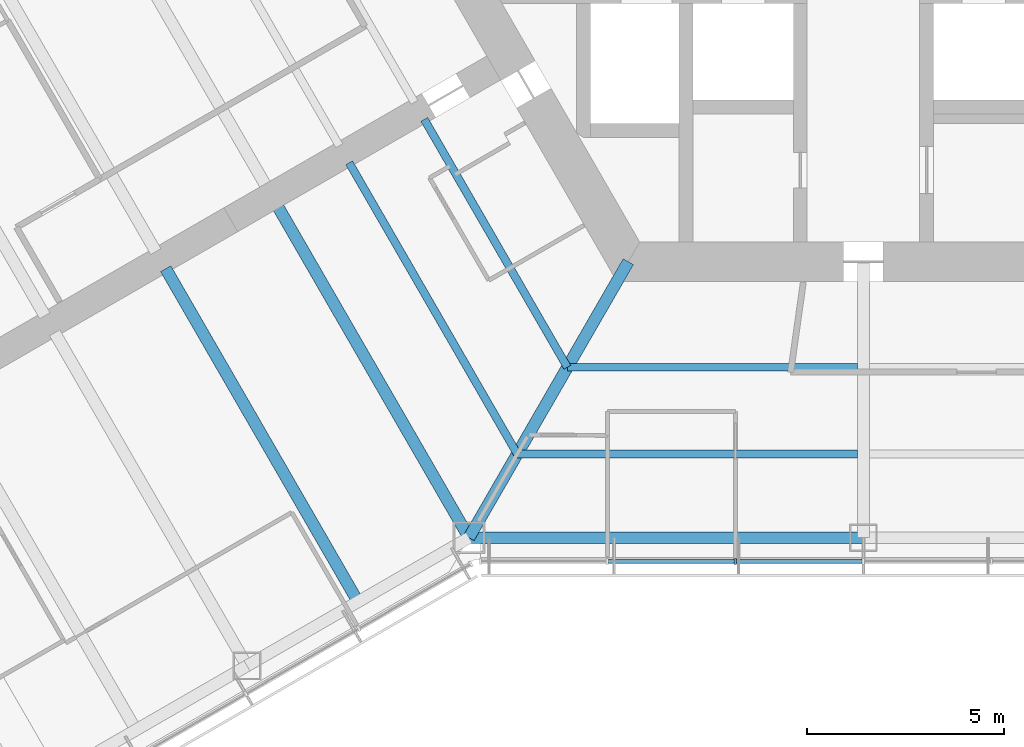
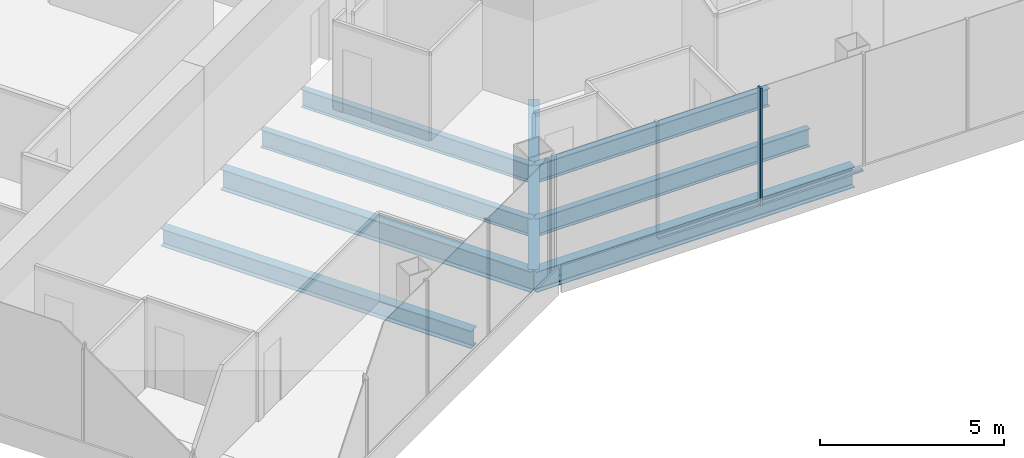
# One storey, part 3 of 18: 8 beams, 3 members, 1 element without a shape of its own.
"""IFC4 building model written with IfcOpenShell, lengths in metres."""

from ifc_helpers import new_model, si_unit, direction, frame, origin, origin_2d, place, context, subcontext, project, spatial, rectangle, i_section, extrude, material, material_profile, profile_set, type_object, element, aggregate, save


model = new_model("IFC4")

# Units and contexts
model_context = context("Model", 3, precision=1e-05, world=origin(), true_north=direction((0.0, 1.0)))
body_context = subcontext(model_context, "Body", "Model", "MODEL_VIEW")
ifc_project = project(units=[si_unit("LENGTHUNIT", "METRE"), si_unit("AREAUNIT", "SQUARE_METRE"), si_unit("VOLUMEUNIT", "CUBIC_METRE"), si_unit("PLANEANGLEUNIT", "RADIAN"), si_unit("MASSUNIT", "GRAM", prefix="KILO")], contexts=[model_context])

# Site, building, storey
site_placement = place(None, origin())
site = spatial("IfcSite", under=ifc_project, at=site_placement, CompositionType="ELEMENT")
building_placement = place(site_placement, origin())
building = spatial("IfcBuilding", under=site, at=building_placement, Name="Kasaneha Research Tower", CompositionType="ELEMENT")
storey_placement = place(building_placement, frame((0.0, 0.0, 195.5)))
storey = spatial("IfcBuildingStorey", under=building, at=storey_placement, Name="L49", CompositionType="ELEMENT", Elevation=195.5)

# Beams
ifc_material_1 = material(Name="Steel SN490B", Category="steel")
ifc_material_profile_1 = material_profile(ifc_material_1, i_section(OverallWidth=0.199951171875, OverallDepth=0.60009765625, WebThickness=0.010986328125, FlangeThickness=0.01708984375, FilletRadius=0.012939453125, at=origin_2d()), Name="H-600x200x11x17")
ifc_profile_set_1 = profile_set([ifc_material_profile_1], Name="Steel SN490B")
beam_type_1 = type_object("IfcBeamType", Name="B1-3 secondary beam H-600x200x11x17", PredefinedType="JOIST", material=ifc_profile_set_1)
beam_1_placement = place(storey_placement, frame((-7.505615234375, -13.0, -0.449951171875), z_axis=(-0.499993340521, 0.866029248602, 0.0), x_axis=(-0.866029248602, -0.499993340521, 0.0)))
element("IfcBeam", 1, at=beam_1_placement, inside=storey, type_object=beam_type_1, Name="Secondary beam RS210R1 L49", PredefinedType="JOIST", context=body_context, shape_type="SweptSolid", body=[
    extrude(i_section(OverallWidth=0.199951171875, OverallDepth=0.60009765625, WebThickness=0.010986328125, FlangeThickness=0.01708984375, FilletRadius=0.012939453125, at=origin_2d()), origin(), (0.0, 0.0, 1.0), 7.25537109375),
])
beam_2_placement = place(storey_placement, frame((-8.775634765625, -15.199951171875, -0.449951171875), z_axis=(-0.500004205306, 0.866022975836, 0.0), x_axis=(-0.866022975836, -0.500004205306, 0.0)))
element("IfcBeam", 2, at=beam_2_placement, inside=storey, type_object=beam_type_1, Name="Secondary beam RS210R2 L49", PredefinedType="JOIST", context=body_context, shape_type="SweptSolid", body=[
    extrude(i_section(OverallWidth=0.199951171875, OverallDepth=0.60009765625, WebThickness=0.010986328125, FlangeThickness=0.01708984375, FilletRadius=0.012939453125, at=origin_2d()), origin(), (0.0, 0.0, 1.0), 8.52587890625),
])
beam_3_placement = place(storey_placement, frame((-7.505615234375, -13.0, -0.449951171875), z_axis=(1.0, 0.0, 0.0), x_axis=(0.0, 1.0, 0.0)))
element("IfcBeam", 3, at=beam_3_placement, inside=storey, type_object=beam_type_1, Name="Secondary beam RS270L1 L49", PredefinedType="JOIST", context=body_context, shape_type="SweptSolid", body=[
    extrude(i_section(OverallWidth=0.199951171875, OverallDepth=0.60009765625, WebThickness=0.010986328125, FlangeThickness=0.01708984375, FilletRadius=0.012939453125, at=origin_2d()), origin(), (0.0, 0.0, 1.0), 7.355712890625),
])
beam_4_placement = place(storey_placement, frame((-8.775634765625, -15.199951171875, -0.449951171875), z_axis=(1.0, 0.0, 0.0), x_axis=(0.0, 1.0, 0.0)))
element("IfcBeam", 4, at=beam_4_placement, inside=storey, type_object=beam_type_1, Name="Secondary beam RS270L2 L49", PredefinedType="JOIST", context=body_context, shape_type="SweptSolid", body=[
    extrude(i_section(OverallWidth=0.199951171875, OverallDepth=0.60009765625, WebThickness=0.010986328125, FlangeThickness=0.01708984375, FilletRadius=0.012939453125, at=origin_2d()), origin(), (0.0, 0.0, 1.0), 8.625732421875),
])
ifc_material_2 = material(Name="Steel SN490B", Category="steel")
ifc_material_profile_2 = material_profile(ifc_material_2, i_section(OverallWidth=0.300048828125, OverallDepth=0.58203125, WebThickness=0.011962890625, FlangeThickness=0.01708984375, FilletRadius=0.012939453125, at=origin_2d()), Name="H-582x300x12x17")
ifc_profile_set_2 = profile_set([ifc_material_profile_2], Name="Steel SN490B")
beam_type_2 = type_object("IfcBeamType", Name="B2-3 secondary beam H-582x300x12x17", PredefinedType="JOIST", material=ifc_profile_set_2)
beam_5_placement = place(storey_placement, frame((-12.814697265625, -18.945556640625, -0.44091796875), z_axis=(-0.499995560238, 0.866027967067, 0.0), x_axis=(-0.866027967067, -0.499995560238, 0.0)))
element("IfcBeam", 5, at=beam_5_placement, inside=storey, type_object=beam_type_2, Name="Secondary beam WBBN1 L49", PredefinedType="JOIST", context=body_context, shape_type="SweptSolid", body=[
    extrude(i_section(OverallWidth=0.300048828125, OverallDepth=0.58203125, WebThickness=0.011962890625, FlangeThickness=0.01708984375, FilletRadius=0.012939453125, at=origin_2d()), origin(), (0.0, 0.0, 1.0), 9.75),
])

# Curtain wall, members
ifc_material_3 = material(Name="Glass and aluminium", Category="aluminium")
curtain_wall_type = type_object("IfcCurtainWallType", Name="Mid-rise office curtain wall", PredefinedType="USERDEFINED", material=ifc_material_3)
curtain_wall_placement = place(storey_placement, origin())
curtain_wall = element("IfcCurtainWall", 6, at=curtain_wall_placement, inside=storey, type_object=curtain_wall_type, Name="CW-O2 L49 run 01a", ObjectType="UNITISED CURTAIN WALL", PredefinedType="USERDEFINED")
ifc_material_4 = material(Name="Aluminium 6063-T6", Category="aluminium")
ifc_material_profile_3 = material_profile(ifc_material_4, rectangle(XDim=0.06005859375, YDim=0.14990234375, at=origin_2d()), Name="CW-O2 mullion 60x150")
ifc_profile_set_3 = profile_set([ifc_material_profile_3], Name="Aluminium 6063-T6")
member_type_1 = type_object("IfcMemberType", Name="CW-O2 mullion", PredefinedType="MULLION", material=ifc_profile_set_3)
member_1_placement = place(storey_placement, frame((-3.246337890625, -17.92041015625, 0.0), z_axis=(0.0, 0.0, 1.0), x_axis=(1.0, 0.0, 0.0)))
member_1 = element("IfcMember", 7, at=member_1_placement, type_object=member_type_1, Name="CW-O2 mullion 3", PredefinedType="MULLION", context=body_context, shape_type="SweptSolid", body=[
    extrude(rectangle(XDim=0.06005859375, YDim=0.14990234375, at=origin_2d()), origin(), (0.0, 0.0, 1.0), 3.89990234375),
])
ifc_material_5 = material(Name="Aluminium 6063-T6", Category="aluminium")
ifc_material_profile_4 = material_profile(ifc_material_5, rectangle(XDim=0.110107421875, YDim=0.06005859375, at=origin_2d()), Name="CW-O2 transom 110x60")
ifc_profile_set_4 = profile_set([ifc_material_profile_4], Name="Aluminium 6063-T6")
member_type_2 = type_object("IfcMemberType", Name="CW-O2 transom", PredefinedType="USERDEFINED", material=ifc_profile_set_4)
member_2_placement = place(storey_placement, frame((-6.462890625, -17.92041015625, 0.030029296875), z_axis=(1.0, 0.0, 0.0), x_axis=(0.0, 1.0, 0.0)))
member_2 = element("IfcMember", 8, at=member_2_placement, type_object=member_type_2, Name="CW-O2 transom 2", ObjectType="TRANSOM", PredefinedType="USERDEFINED", context=body_context, shape_type="SweptSolid", body=[
    extrude(rectangle(XDim=0.110107421875, YDim=0.06005859375, at=origin_2d()), origin(), (0.0, 0.0, 1.0), 3.1865234375),
])
member_3_placement = place(storey_placement, frame((-3.21630859375, -17.92041015625, 0.030029296875), z_axis=(1.0, 0.0, 0.0), x_axis=(0.0, 1.0, 0.0)))
member_3 = element("IfcMember", 9, at=member_3_placement, type_object=member_type_2, Name="CW-O2 transom 3", ObjectType="TRANSOM", PredefinedType="USERDEFINED", context=body_context, shape_type="SweptSolid", body=[
    extrude(rectangle(XDim=0.110107421875, YDim=0.06005859375, at=origin_2d()), origin(), (0.0, 0.0, 1.0), 3.186279296875),
])
aggregate(curtain_wall, [member_1, member_2, member_3])

# Beams
ifc_material_6 = material(Name="Steel SN490B", Category="steel")
ifc_material_profile_5 = material_profile(ifc_material_6, i_section(OverallWidth=0.300048828125, OverallDepth=0.699951171875, WebThickness=0.012939453125, FlangeThickness=0.02392578125, FilletRadius=0.01806640625, at=origin_2d()), Name="H-700x300x13x24")
ifc_profile_set_5 = profile_set([ifc_material_profile_5], Name="Steel SN490B")
beam_type_3 = type_object("IfcBeamType", Name="G1-3 radial girder H-700x300x13x24", PredefinedType="BEAM", material=ifc_profile_set_5)
beam_6_placement = place(storey_placement, frame((-5.961181640625, -10.324951171875, -0.5), z_axis=(-0.49999105496, -0.866030568144, 0.0), x_axis=(0.866030568144, -0.49999105496, 0.0)))
element("IfcBeam", 10, at=beam_6_placement, inside=storey, type_object=beam_type_3, Name="Radial girder RV240 L49", PredefinedType="BEAM", context=body_context, shape_type="SweptSolid", body=[
    extrude(i_section(OverallWidth=0.300048828125, OverallDepth=0.699951171875, WebThickness=0.012939453125, FlangeThickness=0.02392578125, FilletRadius=0.01806640625, at=origin_2d()), origin(), (0.0, 0.0, 1.0), 8.077880859375),
])
ifc_material_7 = material(Name="Steel SN490B", Category="steel")
ifc_material_profile_6 = material_profile(ifc_material_7, i_section(OverallWidth=0.300048828125, OverallDepth=0.69189453125, WebThickness=0.012939453125, FlangeThickness=0.02001953125, FilletRadius=0.01806640625, at=origin_2d()), Name="H-692x300x13x20")
ifc_profile_set_6 = profile_set([ifc_material_profile_6], Name="Steel SN490B")
beam_type_4 = type_object("IfcBeamType", Name="G3-3 plate edge girder H-692x300x13x20", PredefinedType="BEAM", material=ifc_profile_set_6)
beam_7_placement = place(storey_placement, frame((-10.0, -17.320556640625, -0.49609375), z_axis=(-0.499995560238, 0.866027967067, 0.0), x_axis=(-0.866027967067, -0.499995560238, 0.0)))
element("IfcBeam", 11, at=beam_7_placement, inside=storey, type_object=beam_type_4, Name="Plate edge girder PEBN L49", PredefinedType="BEAM", context=body_context, shape_type="SweptSolid", body=[
    extrude(i_section(OverallWidth=0.300048828125, OverallDepth=0.69189453125, WebThickness=0.012939453125, FlangeThickness=0.02001953125, FilletRadius=0.01806640625, at=origin_2d()), origin(), (0.0, 0.0, 1.0), 9.75),
])
ifc_material_8 = material(Name="Steel SN490B", Category="steel")
ifc_material_profile_7 = material_profile(ifc_material_8, i_section(OverallWidth=0.300048828125, OverallDepth=0.69189453125, WebThickness=0.012939453125, FlangeThickness=0.02001953125, FilletRadius=0.01806640625, at=origin_2d()), Name="H-692x300x13x20")
ifc_profile_set_7 = profile_set([ifc_material_profile_7], Name="Steel SN490B")
beam_type_5 = type_object("IfcBeamType", Name="SB1-3 spandrel beam H-692x300x13x20", PredefinedType="SPANDREL", material=ifc_profile_set_7)
beam_8_placement = place(storey_placement, frame((-10.0, -17.320556640625, -0.49609375), z_axis=(1.0, 0.0, 0.0), x_axis=(0.0, 1.0, 0.0)))
element("IfcBeam", 12, at=beam_8_placement, inside=storey, type_object=beam_type_5, Name="Spandrel beam SR270L L49", PredefinedType="SPANDREL", context=body_context, shape_type="SweptSolid", body=[
    extrude(i_section(OverallWidth=0.300048828125, OverallDepth=0.69189453125, WebThickness=0.012939453125, FlangeThickness=0.02001953125, FilletRadius=0.01806640625, at=origin_2d()), origin(), (0.0, 0.0, 1.0), 10.0),
])

save(model, "model.ifc")
